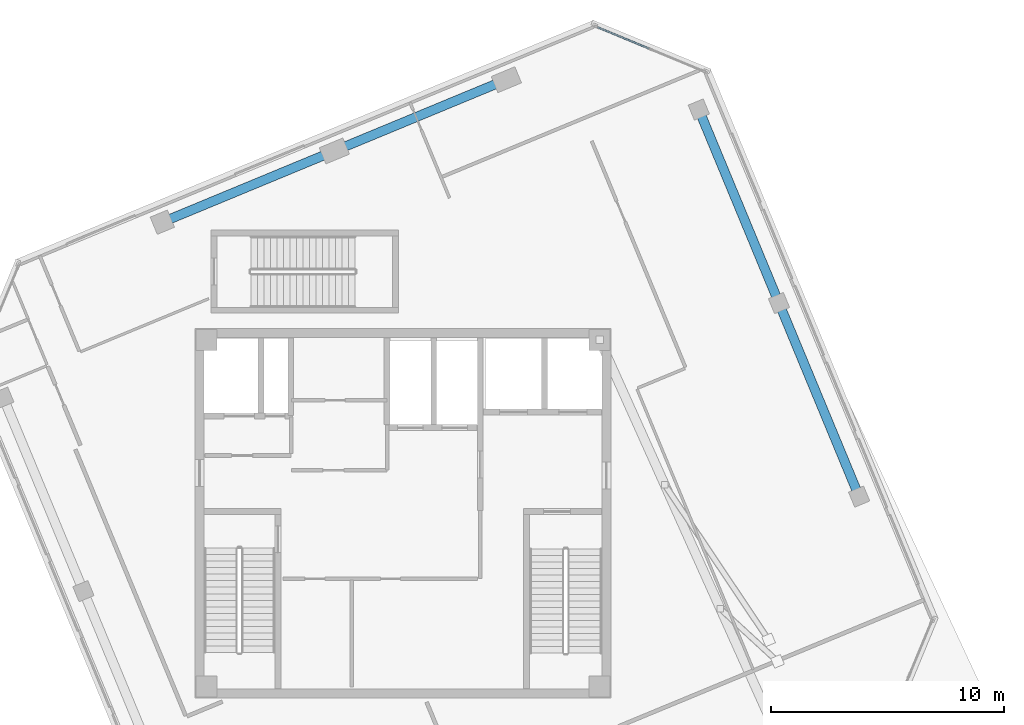
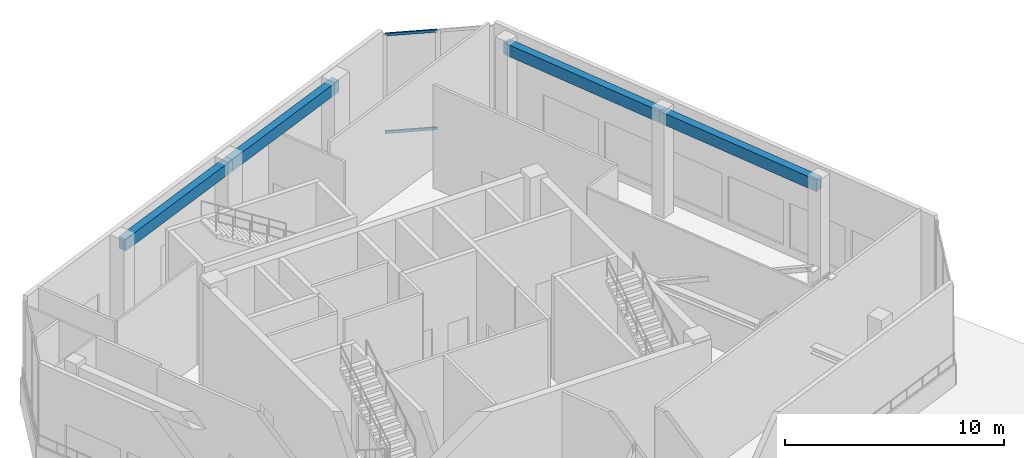
# One storey, part 5 of 16: 4 beams, 2 members, 1 element without a shape of its own.
"""IFC4 building model written with IfcOpenShell, lengths in metres."""

from ifc_helpers import new_model, si_unit, direction, frame, origin, origin_2d, place, context, subcontext, project, spatial, rectangle, hollow_rectangle, extrude, source, transform, mapped, material, material_profile, profile_set, type_object, element, aggregate, save


model = new_model("IFC4")

# Units and contexts
model_context = context("Model", 3, precision=1e-05, world=origin(), true_north=direction((0.0, 1.0)))
body_context = subcontext(model_context, "Body", "Model", "MODEL_VIEW")
ifc_project = project(units=[si_unit("LENGTHUNIT", "METRE"), si_unit("AREAUNIT", "SQUARE_METRE"), si_unit("VOLUMEUNIT", "CUBIC_METRE"), si_unit("PLANEANGLEUNIT", "RADIAN"), si_unit("MASSUNIT", "GRAM", prefix="KILO")], contexts=[model_context])

# Site, building, storey
site_placement = place(None, origin())
site = spatial("IfcSite", under=ifc_project, at=site_placement, CompositionType="ELEMENT")
building_placement = place(site_placement, origin())
building = spatial("IfcBuilding", under=site, at=building_placement, Name="Torre Montelarca", CompositionType="ELEMENT")
storey_placement = place(building_placement, frame((0.0, 0.0, 349.199951171875)))
storey = spatial("IfcBuildingStorey", under=building, at=storey_placement, Name="L79", CompositionType="ELEMENT", Elevation=349.199951171875)

# Beams
ifc_material_1 = material(Name="Concrete C40/50", Category="concrete")
ifc_material_profile_1 = material_profile(ifc_material_1, rectangle(XDim=0.39990234375, YDim=0.64990234375, at=origin_2d()), Name="RCB400X650", Category="concrete")
ifc_profile_set_1 = profile_set([ifc_material_profile_1], Name="Concrete C40/50")
beam_type = type_object("IfcBeamType", Name="BM-SP-RC650-EXT", PredefinedType="SPANDREL", material=ifc_profile_set_1)
shared_shape_1 = source(origin(), body_context, "Body", "SweptSolid", [
    extrude(rectangle(XDim=0.39990234375, YDim=0.64990234375, at=origin_2d()), origin(), (0.0, 0.0, 1.0), 9.0),
])
for number, where, z_axis, x_axis, name in (
    (1, (30.713134765625, 49.34619140625, 5.43505859375), (0.382699975578, -0.923872679915, 0.0), (0.923872679915, 0.382699975578, 0.0), "L79 Grid Girder X 9.0-18.0 at Y=47.1"),
    (2, (34.157470703125, 41.03125, 5.43505859375), (0.382676821686, -0.923882270716, 0.0), (0.923882270716, 0.382676821686, 0.0), "L79 Grid Girder X 18.0-27.0 at Y=47.1"),
):
    element("IfcBeam", number, at=place(storey_placement, frame(where, z_axis=z_axis, x_axis=x_axis)), inside=storey, type_object=beam_type, Name=name, PredefinedType="SPANDREL", context=body_context, shape_type="MappedRepresentation", body=[
        mapped(shared_shape_1, transform((0.0, 0.0, 0.0), scale=1.0)),
    ])
shared_shape_2 = source(origin(), body_context, "Body", "SweptSolid", [
    extrude(rectangle(XDim=0.39990234375, YDim=0.64990234375, at=origin_2d()), origin(), (0.0, 0.0, 1.0), 8.0),
])
for number, where, z_axis, x_axis, name in (
    (3, (7.66064453125, 44.505859375, 5.43505859375), (0.923878468529, 0.382686001036, 0.0), (-0.382686001036, 0.923878468529, 0.0), "L79 Grid Girder Y 24.0-32.0 at X=4.7"),
    (4, (15.0517578125, 47.5673828125, 5.43505859375), (0.923878468529, 0.382686001036, 0.0), (-0.382686001036, 0.923878468529, 0.0), "L79 Grid Girder Y 32.0-40.0 at X=4.7"),
):
    element("IfcBeam", number, at=place(storey_placement, frame(where, z_axis=z_axis, x_axis=x_axis)), inside=storey, type_object=beam_type, Name=name, PredefinedType="SPANDREL", context=body_context, shape_type="MappedRepresentation", body=[
        mapped(shared_shape_2, transform((0.0, 0.0, 0.0), scale=1.0)),
    ])

# Curtain wall, members
ifc_material_2 = material(Name="Amber translucent laminated glass", Category="glass")
curtain_wall_type = type_object("IfcCurtainWallType", Name="CW-SYS-LANT", PredefinedType="USERDEFINED", material=ifc_material_2)
curtain_wall_placement = place(storey_placement, origin())
curtain_wall = element("IfcCurtainWall", 5, at=curtain_wall_placement, inside=storey, type_object=curtain_wall_type, Name="L79 Curtain Wall Run CW-T3-L79-E09-B1", ObjectType="TRANSLUCENT LANTERN", PredefinedType="USERDEFINED")
ifc_material_3 = material(Name="Anodised aluminium AA 6063-T6", Category="aluminium")
ifc_material_profile_2 = material_profile(ifc_material_3, hollow_rectangle(XDim=0.074951171875, YDim=0.159912109375, WallThickness=0.0048828125, InnerFilletRadius=0.0048828125, OuterFilletRadius=0.010009765625, at=origin_2d()), Name="ALU75X160X5", Category="aluminium")
ifc_profile_set_2 = profile_set([ifc_material_profile_2], Name="Anodised aluminium AA 6063-T6")
member_type = type_object("IfcMemberType", Name="CWT-ALU160", PredefinedType="USERDEFINED", material=ifc_profile_set_2)
shared_shape_3 = source(origin(), body_context, "Body", "SweptSolid", [
    extrude(hollow_rectangle(XDim=0.074951171875, YDim=0.159912109375, WallThickness=0.0048828125, InnerFilletRadius=0.0048828125, OuterFilletRadius=0.010009765625, at=origin_2d()), origin(), (0.0, 0.0, 1.0), 2.401123046875),
])
member_1_placement = place(storey_placement, frame((28.578369140625, 51.96484375, 0.03759765625), z_axis=(-0.92386315418, 0.382722970761, 0.0), x_axis=(-0.382722970761, -0.92386315418, 0.0)))
member_1 = element("IfcMember", 6, at=member_1_placement, type_object=member_type, Name="CW transom 2.1", ObjectType="TRANSOM", PredefinedType="USERDEFINED", context=body_context, shape_type="MappedRepresentation", body=[
    mapped(shared_shape_3, transform((0.0, 0.0, 0.0), scale=1.0)),
])
member_2_placement = place(storey_placement, frame((28.578369140625, 51.96484375, 5.482666015625), z_axis=(-0.92386315418, 0.382722970761, 0.0), x_axis=(-0.382722970761, -0.92386315418, 0.0)))
member_2 = element("IfcMember", 7, at=member_2_placement, type_object=member_type, Name="CW transom 2.2", ObjectType="TRANSOM", PredefinedType="USERDEFINED", context=body_context, shape_type="MappedRepresentation", body=[
    mapped(shared_shape_3, transform((0.0, 0.0, 0.0), scale=1.0)),
])
aggregate(curtain_wall, [member_1, member_2])

save(model, "model.ifc")
